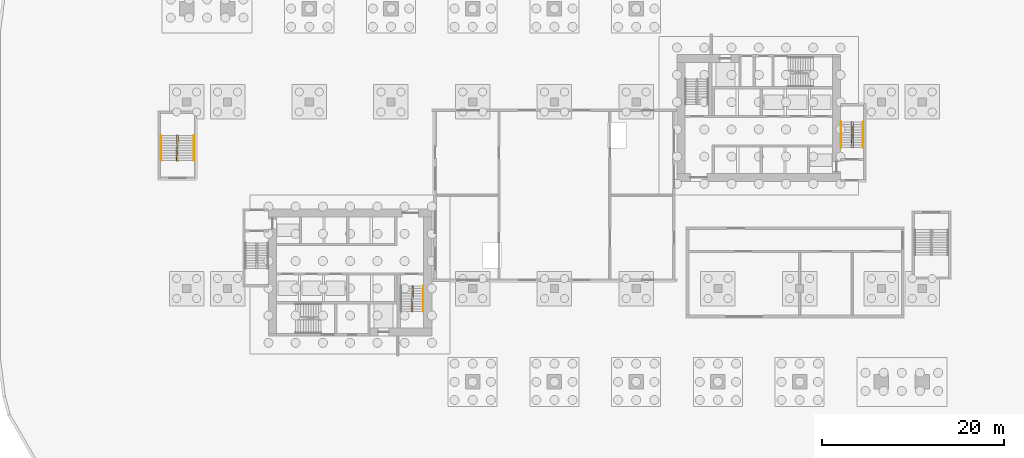
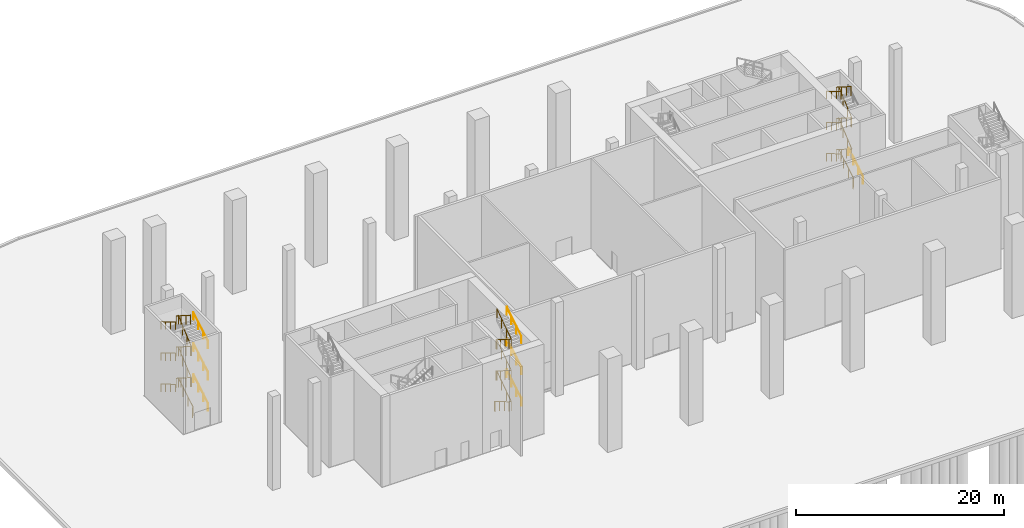
# One storey, part 23 of 26: 16 railings.
"""IFC4 building model written with IfcOpenShell, lengths in metres."""

from ifc_helpers import new_model, si_unit, direction, frame, origin, origin_2d, place, context, subcontext, project, spatial, circle, extrude, material, type_object, element, save


model = new_model("IFC4")

# Units and contexts
model_context = context("Model", 3, precision=1e-05, world=origin(), true_north=direction((0.0, 1.0)))
body_context = subcontext(model_context, "Body", "Model", "MODEL_VIEW")
ifc_project = project(units=[si_unit("LENGTHUNIT", "METRE"), si_unit("AREAUNIT", "SQUARE_METRE"), si_unit("VOLUMEUNIT", "CUBIC_METRE"), si_unit("PLANEANGLEUNIT", "RADIAN"), si_unit("MASSUNIT", "GRAM", prefix="KILO")], contexts=[model_context])

# Site, building, storey
site_placement = place(None, origin())
site = spatial("IfcSite", under=ifc_project, at=site_placement, CompositionType="ELEMENT")
building_placement = place(site_placement, origin())
building = spatial("IfcBuilding", under=site, at=building_placement, Name="Kajstack Hotel Tower", CompositionType="ELEMENT")
storey_placement = place(building_placement, origin())
storey = spatial("IfcBuildingStorey", under=building, at=storey_placement, Name="L00", CompositionType="ELEMENT", Elevation=0.0)

# Railings
ifc_material = material(Name="Steel S355J2", Category="steel")
railing_type_1 = type_object("IfcRailingType", Name="Stair guard 1100", PredefinedType="GUARDRAIL", material=ifc_material)
railing_1_placement = place(storey_placement, frame((-15.75, -9.949951171875, 0.0)))
element("IfcRailing", 1, at=railing_1_placement, inside=storey, type_object=railing_type_1, Name="L00 W2 stair guard 1", PredefinedType="GUARDRAIL", context=body_context, shape_type="SweptSolid", body=[
    extrude(circle(Radius=0.02392578125, at=origin_2d()), frame((0.0, 0.0, 1.076171875), z_axis=(-0.27628659633, -0.27628659633, 0.920506074601), x_axis=(0.707106781187, -0.707106781187, 0.0)), (0.0, 0.0, 1.0), 0.18115234375),
    extrude(circle(Radius=0.02392578125, at=origin_2d()), frame((-0.050048828125, -0.050048828125, 1.24267578125), z_axis=(0.0, -0.859318757487, 0.511440390497), x_axis=(1.0, 0.0, 0.0)), (0.0, 0.0, 1.0), 3.258544921875),
    extrude(circle(Radius=0.02392578125, at=origin_2d()), frame((-0.050048828125, -2.85009765625, 2.9091796875), z_axis=(0.970072785993, -0.242814311512, 0.0), x_axis=(0.242814311512, 0.970072785993, 0.0)), (0.0, 0.0, 1.0), 0.2060546875),
    extrude(circle(Radius=0.02392578125, at=origin_2d()), frame((0.14990234375, -2.900146484375, 2.9091796875), z_axis=(0.014766769939, 0.84091352328, 0.54096801095), x_axis=(-0.999845851991, 0.017557683712, 0.0)), (0.0, 0.0, 1.0), 3.389404296875),
    extrude(circle(Radius=0.02392578125, at=origin_2d()), frame((0.199951171875, -0.050048828125, 4.74267578125), z_axis=(-0.707106781187, 0.707106781187, 0.0), x_axis=(-0.707106781187, -0.707106781187, 0.0)), (0.0, 0.0, 1.0), 0.07080078125),
    extrude(circle(Radius=0.02392578125, at=origin_2d()), frame((0.14990234375, 0.0, 4.74267578125), z_axis=(-0.058901337739, -0.839577798244, 0.540036807179), x_axis=(0.997548121837, -0.06998388828, 0.0)), (0.0, 0.0, 1.0), 3.394775390625),
    extrude(circle(Radius=0.02392578125, at=origin_2d()), frame((-0.050048828125, -2.85009765625, 6.576171875), z_axis=(0.970072785993, -0.242814311512, 0.0), x_axis=(0.242814311512, 0.970072785993, 0.0)), (0.0, 0.0, 1.0), 0.2060546875),
    extrude(circle(Radius=0.02392578125, at=origin_2d()), frame((0.14990234375, -2.900146484375, 6.576171875), z_axis=(0.01476734536, 0.840946291363, 0.540917055152), x_axis=(-0.999845851991, 0.017557683712, 0.0)), (0.0, 0.0, 1.0), 3.38916015625),
    extrude(circle(Radius=0.02392578125, at=origin_2d()), frame((0.199951171875, -0.050048828125, 8.4091796875), z_axis=(-0.707106781187, 0.707106781187, 0.0), x_axis=(-0.707106781187, -0.707106781187, 0.0)), (0.0, 0.0, 1.0), 0.07080078125),
    extrude(circle(Radius=0.02392578125, at=origin_2d()), frame((0.14990234375, 0.0, 8.4091796875), z_axis=(-0.058899050069, -0.839545189867, 0.540087748493), x_axis=(0.997548121837, -0.06998388828, 0.0)), (0.0, 0.0, 1.0), 3.394775390625),
    extrude(circle(Radius=0.02392578125, at=origin_2d()), frame((-0.050048828125, -2.85009765625, 10.24267578125), z_axis=(0.970072785993, -0.242814311512, 0.0), x_axis=(0.242814311512, 0.970072785993, 0.0)), (0.0, 0.0, 1.0), 0.2060546875),
    extrude(circle(Radius=0.02392578125, at=origin_2d()), frame((0.14990234375, -2.900146484375, 10.24267578125), z_axis=(0.01476734536, 0.840946291363, 0.540917055152), x_axis=(-0.999845851991, 0.017557683712, 0.0)), (0.0, 0.0, 1.0), 3.38916015625),
    extrude(circle(Radius=0.02099609375, at=origin_2d()), origin(), (0.0, 0.0, 1.0), 1.052001953125),
    extrude(circle(Radius=0.02099609375, at=origin_2d()), frame((-0.050048828125, -0.050048828125, 0.166748046875)), (0.0, 0.0, 1.0), 1.052001953125),
    extrude(circle(Radius=0.02099609375, at=origin_2d()), frame((-0.050048828125, -0.9833984375, 0.72216796875)), (0.0, 0.0, 1.0), 1.052001953125),
    extrude(circle(Radius=0.02099609375, at=origin_2d()), frame((-0.050048828125, -1.916748046875, 1.27783203125)), (0.0, 0.0, 1.0), 1.052001953125),
    extrude(circle(Radius=0.02099609375, at=origin_2d()), frame((-0.050048828125, -2.85009765625, 1.833251953125)), (0.0, 0.0, 1.0), 1.052001953125),
    extrude(circle(Radius=0.02099609375, at=origin_2d()), frame((0.14990234375, -2.900146484375, 1.833251953125)), (0.0, 0.0, 1.0), 1.052001953125),
    extrude(circle(Radius=0.02099609375, at=origin_2d()), frame((0.16650390625, -1.9501953125, 2.4443359375)), (0.0, 0.0, 1.0), 1.052001953125),
    extrude(circle(Radius=0.02099609375, at=origin_2d()), frame((0.183349609375, -1.0, 3.0556640625)), (0.0, 0.0, 1.0), 1.052001953125),
    extrude(circle(Radius=0.02099609375, at=origin_2d()), frame((0.199951171875, -0.050048828125, 3.666748046875)), (0.0, 0.0, 1.0), 1.052001953125),
    extrude(circle(Radius=0.02099609375, at=origin_2d()), frame((0.14990234375, 0.0, 3.666748046875)), (0.0, 0.0, 1.0), 1.052001953125),
    extrude(circle(Radius=0.02099609375, at=origin_2d()), frame((0.083251953125, -0.949951171875, 4.27783203125)), (0.0, 0.0, 1.0), 1.052001953125),
    extrude(circle(Radius=0.02099609375, at=origin_2d()), frame((0.0166015625, -1.900146484375, 4.888916015625)), (0.0, 0.0, 1.0), 1.052001953125),
    extrude(circle(Radius=0.02099609375, at=origin_2d()), frame((-0.050048828125, -2.85009765625, 5.5)), (0.0, 0.0, 1.0), 1.052001953125),
    extrude(circle(Radius=0.02099609375, at=origin_2d()), frame((0.14990234375, -2.900146484375, 5.5)), (0.0, 0.0, 1.0), 1.052001953125),
    extrude(circle(Radius=0.02099609375, at=origin_2d()), frame((0.16650390625, -1.9501953125, 6.111083984375)), (0.0, 0.0, 1.0), 1.052001953125),
    extrude(circle(Radius=0.02099609375, at=origin_2d()), frame((0.183349609375, -1.0, 6.72216796875)), (0.0, 0.0, 1.0), 1.052001953125),
    extrude(circle(Radius=0.02099609375, at=origin_2d()), frame((0.199951171875, -0.050048828125, 7.333251953125)), (0.0, 0.0, 1.0), 1.052001953125),
    extrude(circle(Radius=0.02099609375, at=origin_2d()), frame((0.14990234375, 0.0, 7.333251953125)), (0.0, 0.0, 1.0), 1.052001953125),
    extrude(circle(Radius=0.02099609375, at=origin_2d()), frame((0.083251953125, -0.949951171875, 7.9443359375)), (0.0, 0.0, 1.0), 1.052001953125),
    extrude(circle(Radius=0.02099609375, at=origin_2d()), frame((0.0166015625, -1.900146484375, 8.5556640625)), (0.0, 0.0, 1.0), 1.052001953125),
    extrude(circle(Radius=0.02099609375, at=origin_2d()), frame((-0.050048828125, -2.85009765625, 9.166748046875)), (0.0, 0.0, 1.0), 1.052001953125),
    extrude(circle(Radius=0.02099609375, at=origin_2d()), frame((0.14990234375, -2.900146484375, 9.166748046875)), (0.0, 0.0, 1.0), 1.052001953125),
    extrude(circle(Radius=0.02099609375, at=origin_2d()), frame((0.16650390625, -1.9501953125, 9.77783203125)), (0.0, 0.0, 1.0), 1.052001953125),
    extrude(circle(Radius=0.02099609375, at=origin_2d()), frame((0.183349609375, -1.0, 10.388916015625)), (0.0, 0.0, 1.0), 1.052001953125),
    extrude(circle(Radius=0.02099609375, at=origin_2d()), frame((0.199951171875, -0.050048828125, 11.0)), (0.0, 0.0, 1.0), 1.052001953125),
])
railing_2_placement = place(storey_placement, frame((32.85009765625, 5.199951171875, 0.0)))
element("IfcRailing", 2, at=railing_2_placement, inside=storey, type_object=railing_type_1, Name="L00 E1 stair guard 1", PredefinedType="GUARDRAIL", context=body_context, shape_type="SweptSolid", body=[
    extrude(circle(Radius=0.02392578125, at=origin_2d()), frame((0.0, 0.0, 1.076171875), z_axis=(0.275041040955, 0.276389281352, 0.920848191041), x_axis=(-0.708833529934, 0.705375805398, 0.0)), (0.0, 0.0, 1.0), 0.18115234375),
    extrude(circle(Radius=0.02392578125, at=origin_2d()), frame((0.0498046875, 0.050048828125, 1.24267578125), z_axis=(0.0, 0.859318757487, 0.511440390497), x_axis=(-1.0, 0.0, 0.0)), (0.0, 0.0, 1.0), 3.258544921875),
    extrude(circle(Radius=0.02392578125, at=origin_2d()), frame((0.0498046875, 2.85009765625, 2.9091796875), z_axis=(-0.970072785993, 0.242814311512, 0.0), x_axis=(-0.242814311512, -0.970072785993, 0.0)), (0.0, 0.0, 1.0), 0.2060546875),
    extrude(circle(Radius=0.02392578125, at=origin_2d()), frame((-0.150146484375, 2.900146484375, 2.9091796875), z_axis=(-0.014766769939, -0.84091352328, 0.54096801095), x_axis=(0.999845851991, -0.017557683712, 0.0)), (0.0, 0.0, 1.0), 3.389404296875),
    extrude(circle(Radius=0.02392578125, at=origin_2d()), frame((-0.2001953125, 0.050048828125, 4.74267578125), z_axis=(0.707106781187, -0.707106781187, 0.0), x_axis=(0.707106781187, 0.707106781187, 0.0)), (0.0, 0.0, 1.0), 0.07080078125),
    extrude(circle(Radius=0.02392578125, at=origin_2d()), frame((-0.150146484375, 0.0, 4.74267578125), z_axis=(0.058901337739, 0.839577798244, 0.540036807179), x_axis=(-0.997548121837, 0.06998388828, 0.0)), (0.0, 0.0, 1.0), 3.394775390625),
    extrude(circle(Radius=0.02392578125, at=origin_2d()), frame((0.0498046875, 2.85009765625, 6.576171875), z_axis=(-0.970072785993, 0.242814311512, 0.0), x_axis=(-0.242814311512, -0.970072785993, 0.0)), (0.0, 0.0, 1.0), 0.2060546875),
    extrude(circle(Radius=0.02392578125, at=origin_2d()), frame((-0.150146484375, 2.900146484375, 6.576171875), z_axis=(-0.01476734536, -0.840946291363, 0.540917055152), x_axis=(0.999845851991, -0.017557683712, 0.0)), (0.0, 0.0, 1.0), 3.38916015625),
    extrude(circle(Radius=0.02392578125, at=origin_2d()), frame((-0.2001953125, 0.050048828125, 8.4091796875), z_axis=(0.707106781187, -0.707106781187, 0.0), x_axis=(0.707106781187, 0.707106781187, 0.0)), (0.0, 0.0, 1.0), 0.07080078125),
    extrude(circle(Radius=0.02392578125, at=origin_2d()), frame((-0.150146484375, 0.0, 8.4091796875), z_axis=(0.058899050069, 0.839545189867, 0.540087748493), x_axis=(-0.997548121837, 0.06998388828, 0.0)), (0.0, 0.0, 1.0), 3.394775390625),
    extrude(circle(Radius=0.02392578125, at=origin_2d()), frame((0.0498046875, 2.85009765625, 10.24267578125), z_axis=(-0.970072785993, 0.242814311512, 0.0), x_axis=(-0.242814311512, -0.970072785993, 0.0)), (0.0, 0.0, 1.0), 0.2060546875),
    extrude(circle(Radius=0.02392578125, at=origin_2d()), frame((-0.150146484375, 2.900146484375, 10.24267578125), z_axis=(-0.01476734536, -0.840946291363, 0.540917055152), x_axis=(0.999845851991, -0.017557683712, 0.0)), (0.0, 0.0, 1.0), 3.38916015625),
    extrude(circle(Radius=0.02099609375, at=origin_2d()), origin(), (0.0, 0.0, 1.0), 1.052001953125),
    extrude(circle(Radius=0.02099609375, at=origin_2d()), frame((0.0498046875, 0.050048828125, 0.166748046875)), (0.0, 0.0, 1.0), 1.052001953125),
    extrude(circle(Radius=0.02099609375, at=origin_2d()), frame((0.0498046875, 0.9833984375, 0.72216796875)), (0.0, 0.0, 1.0), 1.052001953125),
    extrude(circle(Radius=0.02099609375, at=origin_2d()), frame((0.0498046875, 1.916748046875, 1.27783203125)), (0.0, 0.0, 1.0), 1.052001953125),
    extrude(circle(Radius=0.02099609375, at=origin_2d()), frame((0.0498046875, 2.85009765625, 1.833251953125)), (0.0, 0.0, 1.0), 1.052001953125),
    extrude(circle(Radius=0.02099609375, at=origin_2d()), frame((-0.150146484375, 2.900146484375, 1.833251953125)), (0.0, 0.0, 1.0), 1.052001953125),
    extrude(circle(Radius=0.02099609375, at=origin_2d()), frame((-0.166748046875, 1.9501953125, 2.4443359375)), (0.0, 0.0, 1.0), 1.052001953125),
    extrude(circle(Radius=0.02099609375, at=origin_2d()), frame((-0.18359375, 1.0, 3.0556640625)), (0.0, 0.0, 1.0), 1.052001953125),
    extrude(circle(Radius=0.02099609375, at=origin_2d()), frame((-0.2001953125, 0.050048828125, 3.666748046875)), (0.0, 0.0, 1.0), 1.052001953125),
    extrude(circle(Radius=0.02099609375, at=origin_2d()), frame((-0.150146484375, 0.0, 3.666748046875)), (0.0, 0.0, 1.0), 1.052001953125),
    extrude(circle(Radius=0.02099609375, at=origin_2d()), frame((-0.08349609375, 0.949951171875, 4.27783203125)), (0.0, 0.0, 1.0), 1.052001953125),
    extrude(circle(Radius=0.02099609375, at=origin_2d()), frame((-0.016845703125, 1.900146484375, 4.888916015625)), (0.0, 0.0, 1.0), 1.052001953125),
    extrude(circle(Radius=0.02099609375, at=origin_2d()), frame((0.0498046875, 2.85009765625, 5.5)), (0.0, 0.0, 1.0), 1.052001953125),
    extrude(circle(Radius=0.02099609375, at=origin_2d()), frame((-0.150146484375, 2.900146484375, 5.5)), (0.0, 0.0, 1.0), 1.052001953125),
    extrude(circle(Radius=0.02099609375, at=origin_2d()), frame((-0.166748046875, 1.9501953125, 6.111083984375)), (0.0, 0.0, 1.0), 1.052001953125),
    extrude(circle(Radius=0.02099609375, at=origin_2d()), frame((-0.18359375, 1.0, 6.72216796875)), (0.0, 0.0, 1.0), 1.052001953125),
    extrude(circle(Radius=0.02099609375, at=origin_2d()), frame((-0.2001953125, 0.050048828125, 7.333251953125)), (0.0, 0.0, 1.0), 1.052001953125),
    extrude(circle(Radius=0.02099609375, at=origin_2d()), frame((-0.150146484375, 0.0, 7.333251953125)), (0.0, 0.0, 1.0), 1.052001953125),
    extrude(circle(Radius=0.02099609375, at=origin_2d()), frame((-0.08349609375, 0.949951171875, 7.9443359375)), (0.0, 0.0, 1.0), 1.052001953125),
    extrude(circle(Radius=0.02099609375, at=origin_2d()), frame((-0.016845703125, 1.900146484375, 8.5556640625)), (0.0, 0.0, 1.0), 1.052001953125),
    extrude(circle(Radius=0.02099609375, at=origin_2d()), frame((0.0498046875, 2.85009765625, 9.166748046875)), (0.0, 0.0, 1.0), 1.052001953125),
    extrude(circle(Radius=0.02099609375, at=origin_2d()), frame((-0.150146484375, 2.900146484375, 9.166748046875)), (0.0, 0.0, 1.0), 1.052001953125),
    extrude(circle(Radius=0.02099609375, at=origin_2d()), frame((-0.166748046875, 1.9501953125, 9.77783203125)), (0.0, 0.0, 1.0), 1.052001953125),
    extrude(circle(Radius=0.02099609375, at=origin_2d()), frame((-0.18359375, 1.0, 10.388916015625)), (0.0, 0.0, 1.0), 1.052001953125),
    extrude(circle(Radius=0.02099609375, at=origin_2d()), frame((-0.2001953125, 0.050048828125, 11.0)), (0.0, 0.0, 1.0), 1.052001953125),
])
railing_3_placement = place(storey_placement, frame((-41.449951171875, 3.75, 0.0)))
element("IfcRailing", 3, at=railing_3_placement, inside=storey, type_object=railing_type_1, Name="L00 P1 stair guard 1", PredefinedType="GUARDRAIL", context=body_context, shape_type="SweptSolid", body=[
    extrude(circle(Radius=0.02392578125, at=origin_2d()), frame((0.0, 0.0, 1.076171875), z_axis=(0.27628659633, 0.27628659633, 0.920506074601), x_axis=(-0.707106781187, 0.707106781187, 0.0)), (0.0, 0.0, 1.0), 0.18115234375),
    extrude(circle(Radius=0.02392578125, at=origin_2d()), frame((0.050048828125, 0.050048828125, 1.24267578125), z_axis=(0.0, 0.859318757487, 0.511440390497), x_axis=(-1.0, 0.0, 0.0)), (0.0, 0.0, 1.0), 3.258544921875),
    extrude(circle(Radius=0.02392578125, at=origin_2d()), frame((0.050048828125, 2.85009765625, 2.9091796875), z_axis=(-0.970420317083, 0.24142163986, 0.0), x_axis=(-0.24142163986, -0.970420317083, 0.0)), (0.0, 0.0, 1.0), 0.206298828125),
    extrude(circle(Radius=0.02392578125, at=origin_2d()), frame((-0.150146484375, 2.89990234375, 2.9091796875), z_axis=(-0.014695642666, -0.840893317832, 0.541001355), x_axis=(0.999847325713, -0.01747355902, 0.0)), (0.0, 0.0, 1.0), 3.38916015625),
    extrude(circle(Radius=0.02392578125, at=origin_2d()), frame((-0.199951171875, 0.050048828125, 4.74267578125), z_axis=(0.705375805398, -0.708833529934, 0.0), x_axis=(0.708833529934, 0.705375805398, 0.0)), (0.0, 0.0, 1.0), 0.070556640625),
    extrude(circle(Radius=0.02392578125, at=origin_2d()), frame((-0.150146484375, 0.0, 4.74267578125), z_axis=(0.058973006376, 0.839574239558, 0.540034518146), x_axis=(-0.997542152759, 0.070068919416, 0.0)), (0.0, 0.0, 1.0), 3.394775390625),
    extrude(circle(Radius=0.02392578125, at=origin_2d()), frame((0.050048828125, 2.85009765625, 6.576171875), z_axis=(-0.970420317083, 0.24142163986, 0.0), x_axis=(-0.24142163986, -0.970420317083, 0.0)), (0.0, 0.0, 1.0), 0.206298828125),
    extrude(circle(Radius=0.02392578125, at=origin_2d()), frame((-0.150146484375, 2.89990234375, 6.576171875), z_axis=(-0.014696215385, -0.840926089168, 0.54095039866), x_axis=(0.999847325713, -0.01747355902, 0.0)), (0.0, 0.0, 1.0), 3.388916015625),
    extrude(circle(Radius=0.02392578125, at=origin_2d()), frame((-0.199951171875, 0.050048828125, 8.4091796875), z_axis=(0.705375805398, -0.708833529934, 0.0), x_axis=(0.708833529934, 0.705375805398, 0.0)), (0.0, 0.0, 1.0), 0.070556640625),
    extrude(circle(Radius=0.02392578125, at=origin_2d()), frame((-0.150146484375, 0.0, 8.4091796875), z_axis=(0.058970715942, 0.839541631596, 0.540085459421), x_axis=(-0.997542152759, 0.070068919416, 0.0)), (0.0, 0.0, 1.0), 3.394775390625),
    extrude(circle(Radius=0.02392578125, at=origin_2d()), frame((0.050048828125, 2.85009765625, 10.24267578125), z_axis=(-0.970420317083, 0.24142163986, 0.0), x_axis=(-0.24142163986, -0.970420317083, 0.0)), (0.0, 0.0, 1.0), 0.206298828125),
    extrude(circle(Radius=0.02392578125, at=origin_2d()), frame((-0.150146484375, 2.89990234375, 10.24267578125), z_axis=(-0.014696215385, -0.840926089168, 0.54095039866), x_axis=(0.999847325713, -0.01747355902, 0.0)), (0.0, 0.0, 1.0), 3.388916015625),
    extrude(circle(Radius=0.02099609375, at=origin_2d()), origin(), (0.0, 0.0, 1.0), 1.052001953125),
    extrude(circle(Radius=0.02099609375, at=origin_2d()), frame((0.050048828125, 0.050048828125, 0.166748046875)), (0.0, 0.0, 1.0), 1.052001953125),
    extrude(circle(Radius=0.02099609375, at=origin_2d()), frame((0.050048828125, 0.9833984375, 0.72216796875)), (0.0, 0.0, 1.0), 1.052001953125),
    extrude(circle(Radius=0.02099609375, at=origin_2d()), frame((0.050048828125, 1.916748046875, 1.27783203125)), (0.0, 0.0, 1.0), 1.052001953125),
    extrude(circle(Radius=0.02099609375, at=origin_2d()), frame((0.050048828125, 2.85009765625, 1.833251953125)), (0.0, 0.0, 1.0), 1.052001953125),
    extrude(circle(Radius=0.02099609375, at=origin_2d()), frame((-0.150146484375, 2.89990234375, 1.833251953125)), (0.0, 0.0, 1.0), 1.052001953125),
    extrude(circle(Radius=0.02099609375, at=origin_2d()), frame((-0.166748046875, 1.949951171875, 2.4443359375)), (0.0, 0.0, 1.0), 1.052001953125),
    extrude(circle(Radius=0.02099609375, at=origin_2d()), frame((-0.183349609375, 1.0, 3.0556640625)), (0.0, 0.0, 1.0), 1.052001953125),
    extrude(circle(Radius=0.02099609375, at=origin_2d()), frame((-0.199951171875, 0.050048828125, 3.666748046875)), (0.0, 0.0, 1.0), 1.052001953125),
    extrude(circle(Radius=0.02099609375, at=origin_2d()), frame((-0.150146484375, 0.0, 3.666748046875)), (0.0, 0.0, 1.0), 1.052001953125),
    extrude(circle(Radius=0.02099609375, at=origin_2d()), frame((-0.08349609375, 0.949951171875, 4.27783203125)), (0.0, 0.0, 1.0), 1.052001953125),
    extrude(circle(Radius=0.02099609375, at=origin_2d()), frame((-0.0166015625, 1.900146484375, 4.888916015625)), (0.0, 0.0, 1.0), 1.052001953125),
    extrude(circle(Radius=0.02099609375, at=origin_2d()), frame((0.050048828125, 2.85009765625, 5.5)), (0.0, 0.0, 1.0), 1.052001953125),
    extrude(circle(Radius=0.02099609375, at=origin_2d()), frame((-0.150146484375, 2.89990234375, 5.5)), (0.0, 0.0, 1.0), 1.052001953125),
    extrude(circle(Radius=0.02099609375, at=origin_2d()), frame((-0.166748046875, 1.949951171875, 6.111083984375)), (0.0, 0.0, 1.0), 1.052001953125),
    extrude(circle(Radius=0.02099609375, at=origin_2d()), frame((-0.183349609375, 1.0, 6.72216796875)), (0.0, 0.0, 1.0), 1.052001953125),
    extrude(circle(Radius=0.02099609375, at=origin_2d()), frame((-0.199951171875, 0.050048828125, 7.333251953125)), (0.0, 0.0, 1.0), 1.052001953125),
    extrude(circle(Radius=0.02099609375, at=origin_2d()), frame((-0.150146484375, 0.0, 7.333251953125)), (0.0, 0.0, 1.0), 1.052001953125),
    extrude(circle(Radius=0.02099609375, at=origin_2d()), frame((-0.08349609375, 0.949951171875, 7.9443359375)), (0.0, 0.0, 1.0), 1.052001953125),
    extrude(circle(Radius=0.02099609375, at=origin_2d()), frame((-0.0166015625, 1.900146484375, 8.5556640625)), (0.0, 0.0, 1.0), 1.052001953125),
    extrude(circle(Radius=0.02099609375, at=origin_2d()), frame((0.050048828125, 2.85009765625, 9.166748046875)), (0.0, 0.0, 1.0), 1.052001953125),
    extrude(circle(Radius=0.02099609375, at=origin_2d()), frame((-0.150146484375, 2.89990234375, 9.166748046875)), (0.0, 0.0, 1.0), 1.052001953125),
    extrude(circle(Radius=0.02099609375, at=origin_2d()), frame((-0.166748046875, 1.949951171875, 9.77783203125)), (0.0, 0.0, 1.0), 1.052001953125),
    extrude(circle(Radius=0.02099609375, at=origin_2d()), frame((-0.183349609375, 1.0, 10.388916015625)), (0.0, 0.0, 1.0), 1.052001953125),
    extrude(circle(Radius=0.02099609375, at=origin_2d()), frame((-0.199951171875, 0.050048828125, 11.0)), (0.0, 0.0, 1.0), 1.052001953125),
])
railing_type_2 = type_object("IfcRailingType", Name="Stair handrail 900", PredefinedType="HANDRAIL", material=ifc_material)
railing_4_placement = place(storey_placement, frame((-14.449951171875, -12.800048828125, 2.0)))
element("IfcRailing", 4, at=railing_4_placement, inside=storey, type_object=railing_type_2, Name="L00 W2 stair handrail 2", PredefinedType="HANDRAIL", context=body_context, shape_type="SweptSolid", body=[
    extrude(circle(Radius=0.02392578125, at=origin_2d()), frame((0.0, 0.0, 0.8759765625), z_axis=(0.0, 0.859285828005, 0.511495714342), x_axis=(-1.0, 0.0, 0.0)), (0.0, 0.0, 1.0), 3.258544921875),
    extrude(circle(Radius=0.02099609375, at=origin_2d()), origin(), (0.0, 0.0, 1.0), 0.851806640625),
    extrude(circle(Radius=0.02099609375, at=origin_2d()), frame((0.0, 0.933349609375, 0.5556640625)), (0.0, 0.0, 1.0), 0.851806640625),
    extrude(circle(Radius=0.02099609375, at=origin_2d()), frame((0.0, 1.86669921875, 1.111083984375)), (0.0, 0.0, 1.0), 0.851806640625),
    extrude(circle(Radius=0.02099609375, at=origin_2d()), frame((0.0, 2.800048828125, 1.666748046875)), (0.0, 0.0, 1.0), 0.851806640625),
])
railing_5_placement = place(storey_placement, frame((-14.449951171875, -12.800048828125, 5.666748046875)))
element("IfcRailing", 5, at=railing_5_placement, inside=storey, type_object=railing_type_2, Name="L00 W2 stair handrail 4", PredefinedType="HANDRAIL", context=body_context, shape_type="SweptSolid", body=[
    extrude(circle(Radius=0.02392578125, at=origin_2d()), frame((0.0, 0.0, 0.8759765625), z_axis=(0.0, 0.859318757487, 0.511440390497), x_axis=(-1.0, 0.0, 0.0)), (0.0, 0.0, 1.0), 3.258544921875),
    extrude(circle(Radius=0.02099609375, at=origin_2d()), origin(), (0.0, 0.0, 1.0), 0.851806640625),
    extrude(circle(Radius=0.02099609375, at=origin_2d()), frame((0.0, 0.933349609375, 0.555419921875)), (0.0, 0.0, 1.0), 0.851806640625),
    extrude(circle(Radius=0.02099609375, at=origin_2d()), frame((0.0, 1.86669921875, 1.111083984375)), (0.0, 0.0, 1.0), 0.851806640625),
    extrude(circle(Radius=0.02099609375, at=origin_2d()), frame((0.0, 2.800048828125, 1.66650390625)), (0.0, 0.0, 1.0), 0.851806640625),
])
railing_6_placement = place(storey_placement, frame((-14.449951171875, -12.800048828125, 9.333251953125)))
element("IfcRailing", 6, at=railing_6_placement, inside=storey, type_object=railing_type_2, Name="L00 W2 stair handrail 6", PredefinedType="HANDRAIL", context=body_context, shape_type="SweptSolid", body=[
    extrude(circle(Radius=0.02392578125, at=origin_2d()), frame((0.0, 0.0, 0.8759765625), z_axis=(0.0, 0.859285828005, 0.511495714342), x_axis=(-1.0, 0.0, 0.0)), (0.0, 0.0, 1.0), 3.258544921875),
    extrude(circle(Radius=0.02099609375, at=origin_2d()), origin(), (0.0, 0.0, 1.0), 0.851806640625),
    extrude(circle(Radius=0.02099609375, at=origin_2d()), frame((0.0, 0.933349609375, 0.5556640625)), (0.0, 0.0, 1.0), 0.851806640625),
    extrude(circle(Radius=0.02099609375, at=origin_2d()), frame((0.0, 1.86669921875, 1.111083984375)), (0.0, 0.0, 1.0), 0.851806640625),
    extrude(circle(Radius=0.02099609375, at=origin_2d()), frame((0.0, 2.800048828125, 1.666748046875)), (0.0, 0.0, 1.0), 0.851806640625),
])
railing_7_placement = place(storey_placement, frame((34.0, 5.25, 0.166748046875)))
element("IfcRailing", 7, at=railing_7_placement, inside=storey, type_object=railing_type_2, Name="L00 E1 stair handrail 1", PredefinedType="HANDRAIL", context=body_context, shape_type="SweptSolid", body=[
    extrude(circle(Radius=0.02392578125, at=origin_2d()), frame((0.0, 0.0, 0.8759765625), z_axis=(0.0, 0.859318757487, 0.511440390497), x_axis=(-1.0, 0.0, 0.0)), (0.0, 0.0, 1.0), 3.258544921875),
    extrude(circle(Radius=0.02099609375, at=origin_2d()), origin(), (0.0, 0.0, 1.0), 0.851806640625),
    extrude(circle(Radius=0.02099609375, at=origin_2d()), frame((0.0, 0.933349609375, 0.555419921875)), (0.0, 0.0, 1.0), 0.851806640625),
    extrude(circle(Radius=0.02099609375, at=origin_2d()), frame((0.0, 1.86669921875, 1.111083984375)), (0.0, 0.0, 1.0), 0.851806640625),
    extrude(circle(Radius=0.02099609375, at=origin_2d()), frame((0.0, 2.800048828125, 1.66650390625)), (0.0, 0.0, 1.0), 0.851806640625),
])
railing_8_placement = place(storey_placement, frame((31.550048828125, 8.050048828125, 2.0)))
element("IfcRailing", 8, at=railing_8_placement, inside=storey, type_object=railing_type_2, Name="L00 E1 stair handrail 2", PredefinedType="HANDRAIL", context=body_context, shape_type="SweptSolid", body=[
    extrude(circle(Radius=0.02392578125, at=origin_2d()), frame((0.0, 0.0, 0.8759765625), z_axis=(0.0, -0.859285828005, 0.511495714342), x_axis=(1.0, 0.0, 0.0)), (0.0, 0.0, 1.0), 3.258544921875),
    extrude(circle(Radius=0.02099609375, at=origin_2d()), origin(), (0.0, 0.0, 1.0), 0.851806640625),
    extrude(circle(Radius=0.02099609375, at=origin_2d()), frame((0.0, -0.933349609375, 0.5556640625)), (0.0, 0.0, 1.0), 0.851806640625),
    extrude(circle(Radius=0.02099609375, at=origin_2d()), frame((0.0, -1.86669921875, 1.111083984375)), (0.0, 0.0, 1.0), 0.851806640625),
    extrude(circle(Radius=0.02099609375, at=origin_2d()), frame((0.0, -2.800048828125, 1.666748046875)), (0.0, 0.0, 1.0), 0.851806640625),
])
railing_9_placement = place(storey_placement, frame((31.550048828125, 8.050048828125, 5.666748046875)))
element("IfcRailing", 9, at=railing_9_placement, inside=storey, type_object=railing_type_2, Name="L00 E1 stair handrail 4", PredefinedType="HANDRAIL", context=body_context, shape_type="SweptSolid", body=[
    extrude(circle(Radius=0.02392578125, at=origin_2d()), frame((0.0, 0.0, 0.8759765625), z_axis=(0.0, -0.859318757487, 0.511440390497), x_axis=(1.0, 0.0, 0.0)), (0.0, 0.0, 1.0), 3.258544921875),
    extrude(circle(Radius=0.02099609375, at=origin_2d()), origin(), (0.0, 0.0, 1.0), 0.851806640625),
    extrude(circle(Radius=0.02099609375, at=origin_2d()), frame((0.0, -0.933349609375, 0.555419921875)), (0.0, 0.0, 1.0), 0.851806640625),
    extrude(circle(Radius=0.02099609375, at=origin_2d()), frame((0.0, -1.86669921875, 1.111083984375)), (0.0, 0.0, 1.0), 0.851806640625),
    extrude(circle(Radius=0.02099609375, at=origin_2d()), frame((0.0, -2.800048828125, 1.66650390625)), (0.0, 0.0, 1.0), 0.851806640625),
])
railing_10_placement = place(storey_placement, frame((31.550048828125, 8.050048828125, 9.333251953125)))
element("IfcRailing", 10, at=railing_10_placement, inside=storey, type_object=railing_type_2, Name="L00 E1 stair handrail 6", PredefinedType="HANDRAIL", context=body_context, shape_type="SweptSolid", body=[
    extrude(circle(Radius=0.02392578125, at=origin_2d()), frame((0.0, 0.0, 0.8759765625), z_axis=(0.0, -0.859285828005, 0.511495714342), x_axis=(1.0, 0.0, 0.0)), (0.0, 0.0, 1.0), 3.258544921875),
    extrude(circle(Radius=0.02099609375, at=origin_2d()), origin(), (0.0, 0.0, 1.0), 0.851806640625),
    extrude(circle(Radius=0.02099609375, at=origin_2d()), frame((0.0, -0.933349609375, 0.5556640625)), (0.0, 0.0, 1.0), 0.851806640625),
    extrude(circle(Radius=0.02099609375, at=origin_2d()), frame((0.0, -1.86669921875, 1.111083984375)), (0.0, 0.0, 1.0), 0.851806640625),
    extrude(circle(Radius=0.02099609375, at=origin_2d()), frame((0.0, -2.800048828125, 1.666748046875)), (0.0, 0.0, 1.0), 0.851806640625),
])
railing_11_placement = place(storey_placement, frame((-39.699951171875, 3.800048828125, 0.166748046875)))
element("IfcRailing", 11, at=railing_11_placement, inside=storey, type_object=railing_type_2, Name="L00 P1 stair handrail 1", PredefinedType="HANDRAIL", context=body_context, shape_type="SweptSolid", body=[
    extrude(circle(Radius=0.02392578125, at=origin_2d()), frame((0.0, 0.0, 0.8759765625), z_axis=(0.0, 0.859318757487, 0.511440390497), x_axis=(-1.0, 0.0, 0.0)), (0.0, 0.0, 1.0), 3.258544921875),
    extrude(circle(Radius=0.02099609375, at=origin_2d()), origin(), (0.0, 0.0, 1.0), 0.851806640625),
    extrude(circle(Radius=0.02099609375, at=origin_2d()), frame((0.0, 0.933349609375, 0.555419921875)), (0.0, 0.0, 1.0), 0.851806640625),
    extrude(circle(Radius=0.02099609375, at=origin_2d()), frame((0.0, 1.86669921875, 1.111083984375)), (0.0, 0.0, 1.0), 0.851806640625),
    extrude(circle(Radius=0.02099609375, at=origin_2d()), frame((0.0, 2.800048828125, 1.66650390625)), (0.0, 0.0, 1.0), 0.851806640625),
])
railing_12_placement = place(storey_placement, frame((-43.35009765625, 6.60009765625, 2.0)))
element("IfcRailing", 12, at=railing_12_placement, inside=storey, type_object=railing_type_2, Name="L00 P1 stair handrail 2", PredefinedType="HANDRAIL", context=body_context, shape_type="SweptSolid", body=[
    extrude(circle(Radius=0.02392578125, at=origin_2d()), frame((0.0, 0.0, 0.8759765625), z_axis=(0.0, -0.859285828005, 0.511495714342), x_axis=(1.0, 0.0, 0.0)), (0.0, 0.0, 1.0), 3.258544921875),
    extrude(circle(Radius=0.02099609375, at=origin_2d()), origin(), (0.0, 0.0, 1.0), 0.851806640625),
    extrude(circle(Radius=0.02099609375, at=origin_2d()), frame((0.0, -0.933349609375, 0.5556640625)), (0.0, 0.0, 1.0), 0.851806640625),
    extrude(circle(Radius=0.02099609375, at=origin_2d()), frame((0.0, -1.86669921875, 1.111083984375)), (0.0, 0.0, 1.0), 0.851806640625),
    extrude(circle(Radius=0.02099609375, at=origin_2d()), frame((0.0, -2.800048828125, 1.666748046875)), (0.0, 0.0, 1.0), 0.851806640625),
])
railing_13_placement = place(storey_placement, frame((-39.699951171875, 3.800048828125, 3.833251953125)))
element("IfcRailing", 13, at=railing_13_placement, inside=storey, type_object=railing_type_2, Name="L00 P1 stair handrail 3", PredefinedType="HANDRAIL", context=body_context, shape_type="SweptSolid", body=[
    extrude(circle(Radius=0.02392578125, at=origin_2d()), frame((0.0, 0.0, 0.8759765625), z_axis=(0.0, 0.859285828005, 0.511495714342), x_axis=(-1.0, 0.0, 0.0)), (0.0, 0.0, 1.0), 3.258544921875),
    extrude(circle(Radius=0.02099609375, at=origin_2d()), origin(), (0.0, 0.0, 1.0), 0.851806640625),
    extrude(circle(Radius=0.02099609375, at=origin_2d()), frame((0.0, 0.933349609375, 0.5556640625)), (0.0, 0.0, 1.0), 0.851806640625),
    extrude(circle(Radius=0.02099609375, at=origin_2d()), frame((0.0, 1.86669921875, 1.111083984375)), (0.0, 0.0, 1.0), 0.851806640625),
    extrude(circle(Radius=0.02099609375, at=origin_2d()), frame((0.0, 2.800048828125, 1.666748046875)), (0.0, 0.0, 1.0), 0.851806640625),
])
railing_14_placement = place(storey_placement, frame((-43.35009765625, 6.60009765625, 5.666748046875)))
element("IfcRailing", 14, at=railing_14_placement, inside=storey, type_object=railing_type_2, Name="L00 P1 stair handrail 4", PredefinedType="HANDRAIL", context=body_context, shape_type="SweptSolid", body=[
    extrude(circle(Radius=0.02392578125, at=origin_2d()), frame((0.0, 0.0, 0.8759765625), z_axis=(0.0, -0.859318757487, 0.511440390497), x_axis=(1.0, 0.0, 0.0)), (0.0, 0.0, 1.0), 3.258544921875),
    extrude(circle(Radius=0.02099609375, at=origin_2d()), origin(), (0.0, 0.0, 1.0), 0.851806640625),
    extrude(circle(Radius=0.02099609375, at=origin_2d()), frame((0.0, -0.933349609375, 0.555419921875)), (0.0, 0.0, 1.0), 0.851806640625),
    extrude(circle(Radius=0.02099609375, at=origin_2d()), frame((0.0, -1.86669921875, 1.111083984375)), (0.0, 0.0, 1.0), 0.851806640625),
    extrude(circle(Radius=0.02099609375, at=origin_2d()), frame((0.0, -2.800048828125, 1.66650390625)), (0.0, 0.0, 1.0), 0.851806640625),
])
railing_15_placement = place(storey_placement, frame((-39.699951171875, 3.800048828125, 7.5)))
element("IfcRailing", 15, at=railing_15_placement, inside=storey, type_object=railing_type_2, Name="L00 P1 stair handrail 5", PredefinedType="HANDRAIL", context=body_context, shape_type="SweptSolid", body=[
    extrude(circle(Radius=0.02392578125, at=origin_2d()), frame((0.0, 0.0, 0.8759765625), z_axis=(0.0, 0.859285828005, 0.511495714342), x_axis=(-1.0, 0.0, 0.0)), (0.0, 0.0, 1.0), 3.258544921875),
    extrude(circle(Radius=0.02099609375, at=origin_2d()), origin(), (0.0, 0.0, 1.0), 0.851806640625),
    extrude(circle(Radius=0.02099609375, at=origin_2d()), frame((0.0, 0.933349609375, 0.5556640625)), (0.0, 0.0, 1.0), 0.851806640625),
    extrude(circle(Radius=0.02099609375, at=origin_2d()), frame((0.0, 1.86669921875, 1.111083984375)), (0.0, 0.0, 1.0), 0.851806640625),
    extrude(circle(Radius=0.02099609375, at=origin_2d()), frame((0.0, 2.800048828125, 1.666748046875)), (0.0, 0.0, 1.0), 0.851806640625),
])
railing_16_placement = place(storey_placement, frame((-43.35009765625, 6.60009765625, 9.333251953125)))
element("IfcRailing", 16, at=railing_16_placement, inside=storey, type_object=railing_type_2, Name="L00 P1 stair handrail 6", PredefinedType="HANDRAIL", context=body_context, shape_type="SweptSolid", body=[
    extrude(circle(Radius=0.02392578125, at=origin_2d()), frame((0.0, 0.0, 0.8759765625), z_axis=(0.0, -0.859285828005, 0.511495714342), x_axis=(1.0, 0.0, 0.0)), (0.0, 0.0, 1.0), 3.258544921875),
    extrude(circle(Radius=0.02099609375, at=origin_2d()), origin(), (0.0, 0.0, 1.0), 0.851806640625),
    extrude(circle(Radius=0.02099609375, at=origin_2d()), frame((0.0, -0.933349609375, 0.5556640625)), (0.0, 0.0, 1.0), 0.851806640625),
    extrude(circle(Radius=0.02099609375, at=origin_2d()), frame((0.0, -1.86669921875, 1.111083984375)), (0.0, 0.0, 1.0), 0.851806640625),
    extrude(circle(Radius=0.02099609375, at=origin_2d()), frame((0.0, -2.800048828125, 1.666748046875)), (0.0, 0.0, 1.0), 0.851806640625),
])

save(model, "model.ifc")
